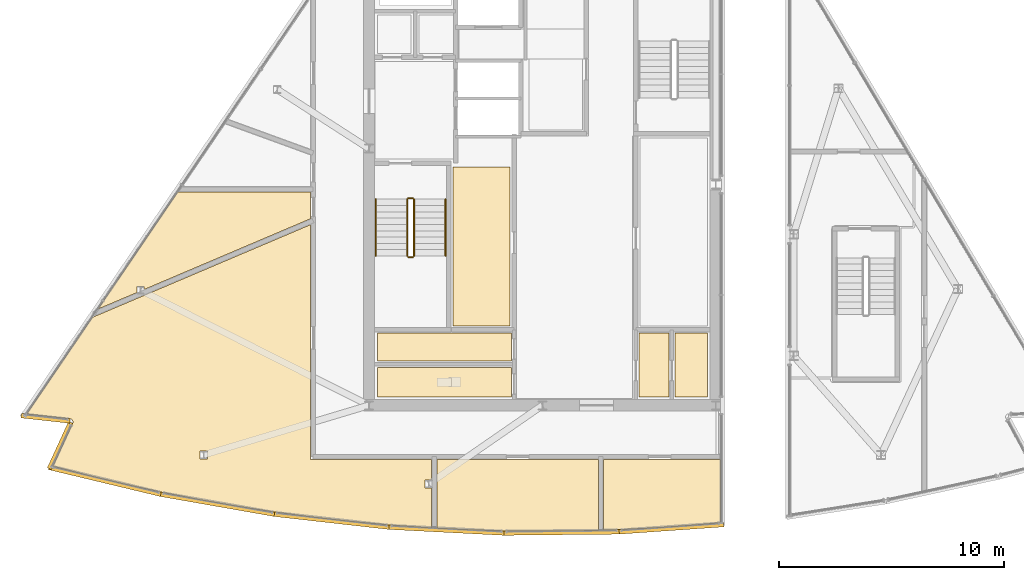
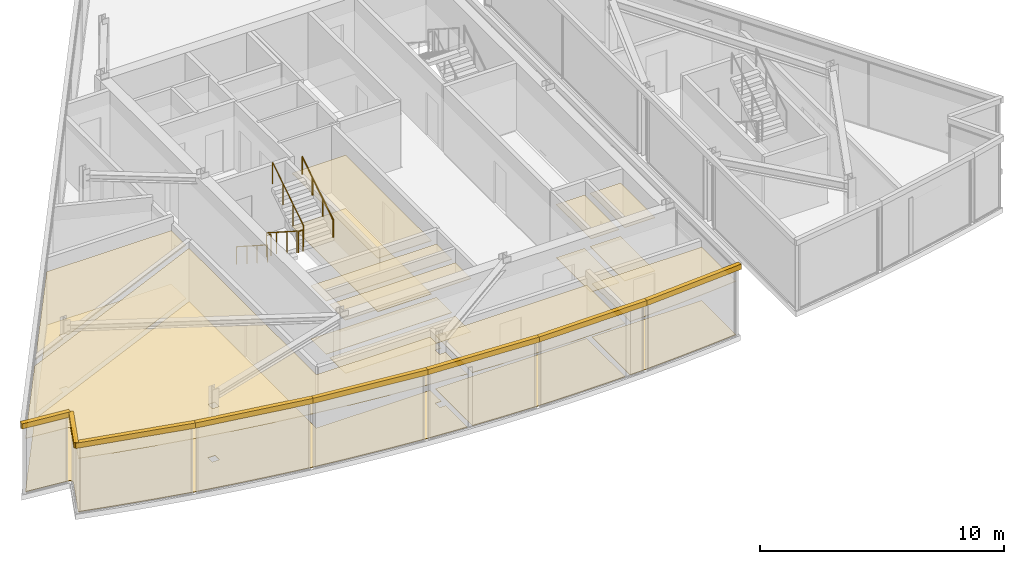
# One storey, part 11 of 15: 26 coverings, 6 railings.
"""IFC4 building model written with IfcOpenShell, lengths in metres."""

from ifc_helpers import new_model, si_unit, direction, frame, origin, origin_2d, place, context, subcontext, project, spatial, polyline, circle, outline, extrude, material, layer, layer_set, type_object, element, save


model = new_model("IFC4")

# Units and contexts
model_context = context("Model", 3, precision=1e-05, world=origin(), true_north=direction((0.0, 1.0)))
body_context = subcontext(model_context, "Body", "Model", "MODEL_VIEW")
ifc_project = project(units=[si_unit("LENGTHUNIT", "METRE"), si_unit("AREAUNIT", "SQUARE_METRE"), si_unit("VOLUMEUNIT", "CUBIC_METRE"), si_unit("PLANEANGLEUNIT", "RADIAN"), si_unit("MASSUNIT", "GRAM", prefix="KILO")], contexts=[model_context])

# Site, building, storey
site_placement = place(None, origin())
site = spatial("IfcSite", under=ifc_project, at=site_placement, CompositionType="ELEMENT")
building_placement = place(site_placement, origin())
building = spatial("IfcBuilding", under=site, at=building_placement, Name="Savorim Split Tower", CompositionType="ELEMENT")
storey_placement = place(building_placement, frame((0.0, 0.0, 304.800048828125)))
storey = spatial("IfcBuildingStorey", under=building, at=storey_placement, Name="Crown L81 Plant", CompositionType="ELEMENT", Elevation=304.800048828125)

# Coverings
ifc_material_1 = material(Name="Mineral Fibre Acoustic Ceiling")
ifc_layer_1 = layer(ifc_material_1, 0.02490234375)
ifc_layer_set_1 = layer_set([ifc_layer_1], Name="COV-CEIL-25")
covering_type_1 = type_object("IfcCoveringType", Name="COV-CEIL-25", PredefinedType="CEILING", material=ifc_layer_set_1)
covering_1_placement = place(storey_placement, frame((0.0, 0.0, 2.659912109375)))
element("IfcCovering", 1, at=covering_1_placement, inside=storey, type_object=covering_type_1, Name="Crown L81 Plant Core Mechanical Store West Acoustic Ceiling", PredefinedType="CEILING", context=body_context, shape_type="SweptSolid", body=[
    extrude(outline(polyline([(-3.969970703125, 1.169921875), (-3.969970703125, -5.8701171875), (-1.429931640625, -5.8701171875), (-1.429931640625, 1.169921875), (-3.969970703125, 1.169921875)])), origin(), (0.0, 0.0, 1.0), 0.025146484375),
])
covering_2_placement = place(storey_placement, frame((0.0, 0.0, 2.659912109375)))
element("IfcCovering", 2, at=covering_2_placement, inside=storey, type_object=covering_type_1, Name="Crown L81 Plant Cleaning Store Acoustic Ceiling", PredefinedType="CEILING", context=body_context, shape_type="SweptSolid", body=[
    extrude(outline(polyline([(-7.320068359375, -6.179931640625), (-7.320068359375, -7.43994140625), (-1.3798828125, -7.43994140625), (-1.3798828125, -6.179931640625), (-7.320068359375, -6.179931640625)])), origin(), (0.0, 0.0, 1.0), 0.025146484375),
])
covering_3_placement = place(storey_placement, frame((0.0, 0.0, 2.659912109375)))
element("IfcCovering", 3, at=covering_3_placement, inside=storey, type_object=covering_type_1, Name="Crown L81 Plant Public WC Acoustic Ceiling", PredefinedType="CEILING", context=body_context, shape_type="SweptSolid", body=[
    extrude(outline(polyline([(-7.320068359375, -7.719970703125), (-7.320068359375, -9.02001953125), (-1.3798828125, -9.02001953125), (-1.3798828125, -7.719970703125), (-7.320068359375, -7.719970703125)])), origin(), (0.0, 0.0, 1.0), 0.025146484375),
])
covering_4_placement = place(storey_placement, frame((0.0, 0.0, 2.659912109375)))
element("IfcCovering", 4, at=covering_4_placement, inside=storey, type_object=covering_type_1, Name="Crown L81 Plant Electrical Switch Plant Room Acoustic Ceiling", PredefinedType="CEILING", context=body_context, shape_type="SweptSolid", body=[
    extrude(outline(polyline([(4.280029296875, -6.179931640625), (4.280029296875, -9.02001953125), (5.6201171875, -9.02001953125), (5.6201171875, -6.179931640625), (4.280029296875, -6.179931640625)])), origin(), (0.0, 0.0, 1.0), 0.025146484375),
])
covering_5_placement = place(storey_placement, frame((0.0, 0.0, 2.659912109375)))
element("IfcCovering", 5, at=covering_5_placement, inside=storey, type_object=covering_type_1, Name="Crown L81 Plant Refuse Chute Room Acoustic Ceiling", PredefinedType="CEILING", context=body_context, shape_type="SweptSolid", body=[
    extrude(outline(polyline([(5.8798828125, -6.179931640625), (5.8798828125, -9.02001953125), (7.320068359375, -9.02001953125), (7.320068359375, -6.179931640625), (5.8798828125, -6.179931640625)])), origin(), (0.0, 0.0, 1.0), 0.025146484375),
])
covering_6_placement = place(storey_placement, frame((0.0, 0.0, 2.659912109375)))
element("IfcCovering", 6, at=covering_6_placement, inside=storey, type_object=covering_type_1, Name="Crown L81 Plant AHU Mechanical Plant Room Acoustic Ceiling", PredefinedType="CEILING", context=body_context, shape_type="SweptSolid", body=[
    extrude(outline(polyline([(-10.300048828125, 0.080078125), (-16.15087890625, 0.080078125), (-16.18408203125, 0.080078125), (-19.72705078125, -5.1279296875), (-18.00537109375, -4.39599609375), (-18.00537109375, -4.11376953125), (-17.67529296875, -4.11376953125), (-17.67529296875, -4.255859375), (-10.300048828125, -1.12060546875), (-10.300048828125, 0.080078125)])), origin(), (0.0, 0.0, 1.0), 0.025146484375),
])
covering_7_placement = place(storey_placement, frame((0.0, 0.0, 2.659912109375)))
element("IfcCovering", 7, at=covering_7_placement, inside=storey, type_object=covering_type_1, Name="Crown L81 Plant Chiller Plant Room Acoustic Ceiling", PredefinedType="CEILING", context=body_context, shape_type="SweptSolid", body=[
    extrude(outline(polyline([(-8.503662109375, -14.55322265625), (-6.807373046875, -14.710205078125), (-5.10791015625, -14.83203125), (-4.919921875, -14.841552734375), (-4.919921875, -13.06005859375), (-5.20458984375, -13.06005859375), (-5.20458984375, -12.710205078125), (-4.919921875, -12.710205078125), (-4.919921875, -11.800048828125), (-10.06005859375, -11.800048828125), (-10.179931640625, -11.800048828125), (-10.300048828125, -11.800048828125), (-10.300048828125, -11.56005859375), (-10.300048828125, -1.38134765625), (-19.873046875, -5.45068359375), (-19.9765625, -5.494873046875), (-22.894287109375, -9.783935546875), (-20.96435546875, -9.99951171875), (-20.95068359375, -10.001708984375), (-20.937255859375, -10.00537109375), (-20.924072265625, -10.01025390625), (-20.91162109375, -10.016357421875), (-20.89990234375, -10.023681640625), (-20.888916015625, -10.0322265625), (-20.878662109375, -10.041748046875), (-20.86962890625, -10.052490234375), (-20.861572265625, -10.063720703125), (-20.854736328125, -10.075927734375), (-20.84912109375, -10.088623046875), (-20.8447265625, -10.101806640625), (-20.841796875, -10.115478515625), (-20.840087890625, -10.12939453125), (-20.840087890625, -10.143310546875), (-20.841064453125, -10.156982421875), (-20.843505859375, -10.170654296875), (-20.847412109375, -10.18408203125), (-20.852783203125, -10.197021484375), (-21.727783203125, -12.10205078125), (-20.23974609375, -12.4912109375), (-18.5830078125, -12.888427734375), (-16.918701171875, -13.251708984375), (-15.246826171875, -13.580810546875), (-13.56884765625, -13.875732421875), (-11.88525390625, -14.135986328125), (-10.19677734375, -14.362060546875), (-8.503662109375, -14.55322265625)]), holes=[polyline([(-14.872314453125, -11.776611328125), (-14.872314453125, -11.426513671875), (-15.2021484375, -11.426513671875), (-15.2021484375, -11.776611328125), (-14.872314453125, -11.776611328125)])]), origin(), (0.0, 0.0, 1.0), 0.025146484375),
])
covering_8_placement = place(storey_placement, frame((0.0, 0.0, 2.659912109375)))
element("IfcCovering", 8, at=covering_8_placement, inside=storey, type_object=covering_type_1, Name="Crown L81 Plant Booster Pump Plant Room Acoustic Ceiling", PredefinedType="CEILING", context=body_context, shape_type="SweptSolid", body=[
    extrude(outline(polyline([(-1.70361328125, -14.97119140625), (0.0, -14.98876953125), (1.70361328125, -14.97119140625), (2.47998046875, -14.947509765625), (2.47998046875, -11.800048828125), (-4.679931640625, -11.800048828125), (-4.679931640625, -14.85400390625), (-3.406494140625, -14.919189453125), (-1.70361328125, -14.97119140625)])), origin(), (0.0, 0.0, 1.0), 0.025146484375),
])
covering_9_placement = place(storey_placement, frame((0.0, 0.0, 2.659912109375)))
element("IfcCovering", 9, at=covering_9_placement, inside=storey, type_object=covering_type_1, Name="Crown L81 Plant Smoke Extract Fan Plant Room Acoustic Ceiling", PredefinedType="CEILING", context=body_context, shape_type="SweptSolid", body=[
    extrude(outline(polyline([(3.406494140625, -14.919189453125), (5.10791015625, -14.83203125), (6.80712890625, -14.710205078125), (7.909912109375, -14.608154296875), (7.909912109375, -11.800048828125), (2.719970703125, -11.800048828125), (2.719970703125, -14.940185546875), (3.406494140625, -14.919189453125)])), origin(), (0.0, 0.0, 1.0), 0.025146484375),
])
ifc_material_2 = material(Name="Terracotta Ceramic-Coated Aluminium Fin", Category="masonry")
ifc_layer_2 = layer(ifc_material_2, 0.050048828125)
ifc_layer_set_2 = layer_set([ifc_layer_2], Name="COV-CLAD-TERRA")
covering_type_2 = type_object("IfcCoveringType", Name="COV-CLAD-TERRA", PredefinedType="CLADDING", material=ifc_layer_set_2)
covering_10_placement = place(storey_placement, frame((0.0, 0.0, 3.33984375)))
element("IfcCovering", 10, at=covering_10_placement, inside=storey, type_object=covering_type_2, Name="Crown L81 Plant Sloped Crest Eave Spandrel W6", PredefinedType="CLADDING", context=body_context, shape_type="SweptSolid", body=[
    extrude(outline(polyline([(-23.1474609375, -9.956787109375), (-20.986572265625, -10.1982421875), (-20.96435546875, -9.99951171875), (-23.125244140625, -9.75830078125), (-23.1474609375, -9.956787109375)])), origin(), (0.0, 0.0, 1.0), 0.260009765625),
])
covering_11_placement = place(storey_placement, frame((0.0, 0.0, 3.33984375)))
element("IfcCovering", 11, at=covering_11_placement, inside=storey, type_object=covering_type_2, Name="Crown L81 Plant Sloped Crest Eave Spandrel W7", PredefinedType="CLADDING", context=body_context, shape_type="SweptSolid", body=[
    extrude(outline(polyline([(-21.034423828125, -10.113525390625), (-21.979248046875, -12.170166015625), (-21.797607421875, -12.253662109375), (-20.852783203125, -10.197021484375), (-21.034423828125, -10.113525390625)])), origin(), (0.0, 0.0, 1.0), 0.260009765625),
])
covering_12_placement = place(storey_placement, frame((0.0, 0.0, 3.33984375)))
element("IfcCovering", 12, at=covering_12_placement, inside=storey, type_object=covering_type_2, Name="Crown L81 Plant Sloped Crest Eave Spandrel W8", PredefinedType="CLADDING", context=body_context, shape_type="SweptSolid", body=[
    extrude(outline(polyline([(-21.938720703125, -12.25341796875), (-16.9609375, -13.447021484375), (-16.914306640625, -13.252685546875), (-21.89208984375, -12.05908203125), (-21.938720703125, -12.25341796875)])), origin(), (0.0, 0.0, 1.0), 0.260009765625),
])
covering_13_placement = place(storey_placement, frame((0.0, 0.0, 3.33984375)))
element("IfcCovering", 13, at=covering_13_placement, inside=storey, type_object=covering_type_2, Name="Crown L81 Plant Sloped Crest Eave Spandrel W9", PredefinedType="CLADDING", context=body_context, shape_type="SweptSolid", body=[
    extrude(outline(polyline([(-16.95751953125, -13.447998046875), (-11.915771484375, -14.333740234375), (-11.881103515625, -14.13671875), (-16.9228515625, -13.2509765625), (-16.95751953125, -13.447998046875)])), origin(), (0.0, 0.0, 1.0), 0.260009765625),
])
covering_14_placement = place(storey_placement, frame((0.0, 0.0, 3.33984375)))
element("IfcCovering", 14, at=covering_14_placement, inside=storey, type_object=covering_type_2, Name="Crown L81 Plant Sloped Crest Eave Spandrel W10", PredefinedType="CLADDING", context=body_context, shape_type="SweptSolid", body=[
    extrude(outline(polyline([(-11.912109375, -14.334228515625), (-6.825439453125, -14.9091796875), (-6.802978515625, -14.71044921875), (-11.8896484375, -14.135498046875), (-11.912109375, -14.334228515625)])), origin(), (0.0, 0.0, 1.0), 0.260009765625),
])
covering_15_placement = place(storey_placement, frame((0.0, 0.0, 3.33984375)))
element("IfcCovering", 15, at=covering_15_placement, inside=storey, type_object=covering_type_2, Name="Crown L81 Plant Sloped Crest Eave Spandrel W11", PredefinedType="CLADDING", context=body_context, shape_type="SweptSolid", body=[
    extrude(outline(polyline([(-6.82177734375, -14.909423828125), (-1.709716796875, -15.171142578125), (-1.69921875, -14.971435546875), (-6.8115234375, -14.709716796875), (-6.82177734375, -14.909423828125)])), origin(), (0.0, 0.0, 1.0), 0.260009765625),
])
covering_16_placement = place(storey_placement, frame((0.0, 0.0, 3.33984375)))
element("IfcCovering", 16, at=covering_16_placement, inside=storey, type_object=covering_type_2, Name="Crown L81 Plant Sloped Crest Eave Spandrel W12", PredefinedType="CLADDING", context=body_context, shape_type="SweptSolid", body=[
    extrude(outline(polyline([(-1.705810546875, -15.17138671875), (3.412841796875, -15.118896484375), (3.410888671875, -14.9189453125), (-1.7080078125, -14.97119140625), (-1.705810546875, -15.17138671875)])), origin(), (0.0, 0.0, 1.0), 0.260009765625),
])
covering_17_placement = place(storey_placement, frame((0.0, 0.0, 3.33984375)))
element("IfcCovering", 17, at=covering_17_placement, inside=storey, type_object=covering_type_2, Name="Crown L81 Plant Sloped Crest Eave Spandrel W13", PredefinedType="CLADDING", context=body_context, shape_type="SweptSolid", body=[
    extrude(outline(polyline([(3.41650390625, -15.118896484375), (8.05419921875, -14.795654296875), (8.040283203125, -14.59619140625), (3.402587890625, -14.919189453125), (3.41650390625, -15.118896484375)])), origin(), (0.0, 0.0, 1.0), 0.260009765625),
])
ifc_material_3 = material(Name="Porcelain Stoneware Flooring", Category="masonry")
ifc_layer_3 = layer(ifc_material_3, 0.02001953125)
ifc_layer_set_3 = layer_set([ifc_layer_3], Name="COV-FLOR-20")
covering_type_3 = type_object("IfcCoveringType", Name="COV-FLOR-20", PredefinedType="FLOORING", material=ifc_layer_set_3)
covering_18_placement = place(storey_placement, origin())
element("IfcCovering", 18, at=covering_18_placement, inside=storey, type_object=covering_type_3, Name="Crown L81 Plant Core Mechanical Store West Porcelain Flooring", PredefinedType="FLOORING", context=body_context, shape_type="SweptSolid", body=[
    extrude(outline(polyline([(-3.969970703125, 1.169921875), (-3.969970703125, -5.8701171875), (-1.429931640625, -5.8701171875), (-1.429931640625, 1.169921875), (-3.969970703125, 1.169921875)])), origin(), (0.0, 0.0, 1.0), 0.02001953125),
])
covering_19_placement = place(storey_placement, origin())
element("IfcCovering", 19, at=covering_19_placement, inside=storey, type_object=covering_type_3, Name="Crown L81 Plant Cleaning Store Porcelain Flooring", PredefinedType="FLOORING", context=body_context, shape_type="SweptSolid", body=[
    extrude(outline(polyline([(-7.320068359375, -6.179931640625), (-7.320068359375, -7.43994140625), (-1.3798828125, -7.43994140625), (-1.3798828125, -6.179931640625), (-7.320068359375, -6.179931640625)])), origin(), (0.0, 0.0, 1.0), 0.02001953125),
])
covering_20_placement = place(storey_placement, origin())
element("IfcCovering", 20, at=covering_20_placement, inside=storey, type_object=covering_type_3, Name="Crown L81 Plant Public WC Porcelain Flooring", PredefinedType="FLOORING", context=body_context, shape_type="SweptSolid", body=[
    extrude(outline(polyline([(-7.320068359375, -7.719970703125), (-7.320068359375, -9.02001953125), (-1.3798828125, -9.02001953125), (-1.3798828125, -7.719970703125), (-7.320068359375, -7.719970703125)])), origin(), (0.0, 0.0, 1.0), 0.02001953125),
])
covering_21_placement = place(storey_placement, origin())
element("IfcCovering", 21, at=covering_21_placement, inside=storey, type_object=covering_type_3, Name="Crown L81 Plant Electrical Switch Plant Room Porcelain Flooring", PredefinedType="FLOORING", context=body_context, shape_type="SweptSolid", body=[
    extrude(outline(polyline([(4.280029296875, -6.179931640625), (4.280029296875, -9.02001953125), (5.6201171875, -9.02001953125), (5.6201171875, -6.179931640625), (4.280029296875, -6.179931640625)])), origin(), (0.0, 0.0, 1.0), 0.02001953125),
])
covering_22_placement = place(storey_placement, origin())
element("IfcCovering", 22, at=covering_22_placement, inside=storey, type_object=covering_type_3, Name="Crown L81 Plant Refuse Chute Room Porcelain Flooring", PredefinedType="FLOORING", context=body_context, shape_type="SweptSolid", body=[
    extrude(outline(polyline([(5.8798828125, -6.179931640625), (5.8798828125, -9.02001953125), (7.320068359375, -9.02001953125), (7.320068359375, -6.179931640625), (5.8798828125, -6.179931640625)])), origin(), (0.0, 0.0, 1.0), 0.02001953125),
])
covering_23_placement = place(storey_placement, origin())
element("IfcCovering", 23, at=covering_23_placement, inside=storey, type_object=covering_type_3, Name="Crown L81 Plant AHU Mechanical Plant Room Porcelain Flooring", PredefinedType="FLOORING", context=body_context, shape_type="SweptSolid", body=[
    extrude(outline(polyline([(-10.300048828125, 0.080078125), (-16.15087890625, 0.080078125), (-16.18408203125, 0.080078125), (-19.72705078125, -5.1279296875), (-18.00537109375, -4.39599609375), (-18.00537109375, -4.11376953125), (-17.67529296875, -4.11376953125), (-17.67529296875, -4.255859375), (-10.300048828125, -1.12060546875), (-10.300048828125, 0.080078125)])), origin(), (0.0, 0.0, 1.0), 0.02001953125),
])
covering_24_placement = place(storey_placement, origin())
element("IfcCovering", 24, at=covering_24_placement, inside=storey, type_object=covering_type_3, Name="Crown L81 Plant Chiller Plant Room Porcelain Flooring", PredefinedType="FLOORING", context=body_context, shape_type="SweptSolid", body=[
    extrude(outline(polyline([(-8.503662109375, -14.55322265625), (-6.807373046875, -14.710205078125), (-5.10791015625, -14.83203125), (-4.919921875, -14.841552734375), (-4.919921875, -13.06005859375), (-5.20458984375, -13.06005859375), (-5.20458984375, -12.710205078125), (-4.919921875, -12.710205078125), (-4.919921875, -11.800048828125), (-10.06005859375, -11.800048828125), (-10.179931640625, -11.800048828125), (-10.300048828125, -11.800048828125), (-10.300048828125, -11.56005859375), (-10.300048828125, -1.38134765625), (-19.873046875, -5.45068359375), (-19.9765625, -5.494873046875), (-22.894287109375, -9.783935546875), (-20.96435546875, -9.99951171875), (-20.95068359375, -10.001708984375), (-20.937255859375, -10.00537109375), (-20.924072265625, -10.01025390625), (-20.91162109375, -10.016357421875), (-20.89990234375, -10.023681640625), (-20.888916015625, -10.0322265625), (-20.878662109375, -10.041748046875), (-20.86962890625, -10.052490234375), (-20.861572265625, -10.063720703125), (-20.854736328125, -10.075927734375), (-20.84912109375, -10.088623046875), (-20.8447265625, -10.101806640625), (-20.841796875, -10.115478515625), (-20.840087890625, -10.12939453125), (-20.840087890625, -10.143310546875), (-20.841064453125, -10.156982421875), (-20.843505859375, -10.170654296875), (-20.847412109375, -10.18408203125), (-20.852783203125, -10.197021484375), (-21.727783203125, -12.10205078125), (-20.23974609375, -12.4912109375), (-18.5830078125, -12.888427734375), (-16.918701171875, -13.251708984375), (-15.246826171875, -13.580810546875), (-13.56884765625, -13.875732421875), (-11.88525390625, -14.135986328125), (-10.19677734375, -14.362060546875), (-8.503662109375, -14.55322265625)]), holes=[polyline([(-14.872314453125, -11.776611328125), (-14.872314453125, -11.426513671875), (-15.2021484375, -11.426513671875), (-15.2021484375, -11.776611328125), (-14.872314453125, -11.776611328125)])]), origin(), (0.0, 0.0, 1.0), 0.02001953125),
])
covering_25_placement = place(storey_placement, origin())
element("IfcCovering", 25, at=covering_25_placement, inside=storey, type_object=covering_type_3, Name="Crown L81 Plant Booster Pump Plant Room Porcelain Flooring", PredefinedType="FLOORING", context=body_context, shape_type="SweptSolid", body=[
    extrude(outline(polyline([(-1.70361328125, -14.97119140625), (0.0, -14.98876953125), (1.70361328125, -14.97119140625), (2.47998046875, -14.947509765625), (2.47998046875, -11.800048828125), (-4.679931640625, -11.800048828125), (-4.679931640625, -14.85400390625), (-3.406494140625, -14.919189453125), (-1.70361328125, -14.97119140625)])), origin(), (0.0, 0.0, 1.0), 0.02001953125),
])
covering_26_placement = place(storey_placement, origin())
element("IfcCovering", 26, at=covering_26_placement, inside=storey, type_object=covering_type_3, Name="Crown L81 Plant Smoke Extract Fan Plant Room Porcelain Flooring", PredefinedType="FLOORING", context=body_context, shape_type="SweptSolid", body=[
    extrude(outline(polyline([(3.406494140625, -14.919189453125), (5.10791015625, -14.83203125), (6.80712890625, -14.710205078125), (7.909912109375, -14.608154296875), (7.909912109375, -11.800048828125), (2.719970703125, -11.800048828125), (2.719970703125, -14.940185546875), (3.406494140625, -14.919189453125)])), origin(), (0.0, 0.0, 1.0), 0.02001953125),
])

# Railings
ifc_material_4 = material(Name="Galvanised Painted Steel Balustrade", Category="steel")
railing_type_1 = type_object("IfcRailingType", Name="RLG-HR-900", PredefinedType="HANDRAIL", material=ifc_material_4)
railing_1_placement = place(storey_placement, frame((-7.39990234375, -0.25, 0.179931640625)))
element("IfcRailing", 27, at=railing_1_placement, inside=storey, type_object=railing_type_1, Name="Crown L81 Plant ST-1 stair handrail 1", PredefinedType="HANDRAIL", context=body_context, shape_type="SweptSolid", body=[
    extrude(circle(Radius=0.02392578125, at=origin_2d()), frame((0.0, 0.0, 0.8759765625), z_axis=(0.0, -0.841162588446, 0.540782303519), x_axis=(1.0, 0.0, 0.0)), (0.0, 0.0, 1.0), 2.995849609375),
    extrude(circle(Radius=0.02099609375, at=origin_2d()), origin(), (0.0, 0.0, 1.0), 0.851806640625),
    extrude(circle(Radius=0.02099609375, at=origin_2d()), frame((0.0, -0.840087890625, 0.5400390625)), (0.0, 0.0, 1.0), 0.851806640625),
    extrude(circle(Radius=0.02099609375, at=origin_2d()), frame((0.0, -1.679931640625, 1.080078125)), (0.0, 0.0, 1.0), 0.851806640625),
    extrude(circle(Radius=0.02099609375, at=origin_2d()), frame((0.0, -2.52001953125, 1.6201171875)), (0.0, 0.0, 1.0), 0.851806640625),
])
railing_2_placement = place(storey_placement, frame((-4.300048828125, -2.77001953125, 1.97998046875)))
element("IfcRailing", 28, at=railing_2_placement, inside=storey, type_object=railing_type_1, Name="Crown L81 Plant ST-1 stair handrail 2", PredefinedType="HANDRAIL", context=body_context, shape_type="SweptSolid", body=[
    extrude(circle(Radius=0.02392578125, at=origin_2d()), frame((0.0, 0.0, 0.8759765625), z_axis=(0.0, 0.841199657755, 0.540724639528), x_axis=(-1.0, 0.0, 0.0)), (0.0, 0.0, 1.0), 2.995849609375),
    extrude(circle(Radius=0.02099609375, at=origin_2d()), origin(), (0.0, 0.0, 1.0), 0.851806640625),
    extrude(circle(Radius=0.02099609375, at=origin_2d()), frame((0.0, 0.840087890625, 0.5400390625)), (0.0, 0.0, 1.0), 0.851806640625),
    extrude(circle(Radius=0.02099609375, at=origin_2d()), frame((0.0, 1.679931640625, 1.079833984375)), (0.0, 0.0, 1.0), 0.851806640625),
    extrude(circle(Radius=0.02099609375, at=origin_2d()), frame((0.0, 2.52001953125, 1.619873046875)), (0.0, 0.0, 1.0), 0.851806640625),
])
railing_type_2 = type_object("IfcRailingType", Name="RLG-STG-1100", PredefinedType="BALUSTRADE", material=ifc_material_4)
railing_3_placement = place(storey_placement, frame((-6.0, -0.25, 0.179931640625)))
element("IfcRailing", 29, at=railing_3_placement, inside=storey, type_object=railing_type_2, Name="Crown L81 Plant ST-1 stair guard 1", PredefinedType="BALUSTRADE", context=body_context, shape_type="SweptSolid", body=[
    extrude(circle(Radius=0.02392578125, at=origin_2d()), frame((0.0, 0.0, 1.076171875), z_axis=(0.0, -0.841162588446, 0.540782303519), x_axis=(1.0, 0.0, 0.0)), (0.0, 0.0, 1.0), 2.995849609375),
    extrude(circle(Radius=0.02099609375, at=origin_2d()), origin(), (0.0, 0.0, 1.0), 1.052001953125),
    extrude(circle(Radius=0.02099609375, at=origin_2d()), frame((0.0, -0.840087890625, 0.5400390625)), (0.0, 0.0, 1.0), 1.052001953125),
    extrude(circle(Radius=0.02099609375, at=origin_2d()), frame((0.0, -1.679931640625, 1.080078125)), (0.0, 0.0, 1.0), 1.052001953125),
    extrude(circle(Radius=0.02099609375, at=origin_2d()), frame((0.0, -2.52001953125, 1.6201171875)), (0.0, 0.0, 1.0), 1.052001953125),
])
railing_4_placement = place(storey_placement, frame((-5.949951171875, -2.820068359375, 1.800048828125)))
element("IfcRailing", 30, at=railing_4_placement, inside=storey, type_object=railing_type_2, Name="Crown L81 Plant ST-1 stair guard 2", PredefinedType="BALUSTRADE", context=body_context, shape_type="SweptSolid", body=[
    extrude(circle(Radius=0.02392578125, at=origin_2d()), frame((0.0, 0.0, 1.076171875), z_axis=(1.0, 0.0, 0.0), x_axis=(0.0, 1.0, 0.0)), (0.0, 0.0, 1.0), 0.199951171875),
    extrude(circle(Radius=0.02099609375, at=origin_2d()), origin(), (0.0, 0.0, 1.0), 1.052001953125),
    extrude(circle(Radius=0.02099609375, at=origin_2d()), frame((0.199951171875, 0.0, 0.0)), (0.0, 0.0, 1.0), 1.052001953125),
])
railing_5_placement = place(storey_placement, frame((-5.699951171875, -2.77001953125, 1.97998046875)))
element("IfcRailing", 31, at=railing_5_placement, inside=storey, type_object=railing_type_2, Name="Crown L81 Plant ST-1 stair guard 3", PredefinedType="BALUSTRADE", context=body_context, shape_type="SweptSolid", body=[
    extrude(circle(Radius=0.02392578125, at=origin_2d()), frame((0.0, 0.0, 1.076171875), z_axis=(0.0, 0.841199657755, 0.540724639528), x_axis=(-1.0, 0.0, 0.0)), (0.0, 0.0, 1.0), 2.995849609375),
    extrude(circle(Radius=0.02099609375, at=origin_2d()), origin(), (0.0, 0.0, 1.0), 1.052001953125),
    extrude(circle(Radius=0.02099609375, at=origin_2d()), frame((0.0, 0.840087890625, 0.5400390625)), (0.0, 0.0, 1.0), 1.052001953125),
    extrude(circle(Radius=0.02099609375, at=origin_2d()), frame((0.0, 1.679931640625, 1.079833984375)), (0.0, 0.0, 1.0), 1.052001953125),
    extrude(circle(Radius=0.02099609375, at=origin_2d()), frame((0.0, 2.52001953125, 1.619873046875)), (0.0, 0.0, 1.0), 1.052001953125),
])
railing_6_placement = place(storey_placement, frame((-5.949951171875, -0.199951171875, 0.0)))
element("IfcRailing", 32, at=railing_6_placement, inside=storey, type_object=railing_type_2, Name="Crown L81 Plant ST-1 stair guard 4", PredefinedType="BALUSTRADE", context=body_context, shape_type="SweptSolid", body=[
    extrude(circle(Radius=0.02392578125, at=origin_2d()), frame((0.0, 0.0, 1.076171875), z_axis=(1.0, 0.0, 0.0), x_axis=(0.0, 1.0, 0.0)), (0.0, 0.0, 1.0), 0.199951171875),
    extrude(circle(Radius=0.02099609375, at=origin_2d()), origin(), (0.0, 0.0, 1.0), 1.052001953125),
    extrude(circle(Radius=0.02099609375, at=origin_2d()), frame((0.199951171875, 0.0, 0.0)), (0.0, 0.0, 1.0), 1.052001953125),
])

save(model, "model.ifc")
